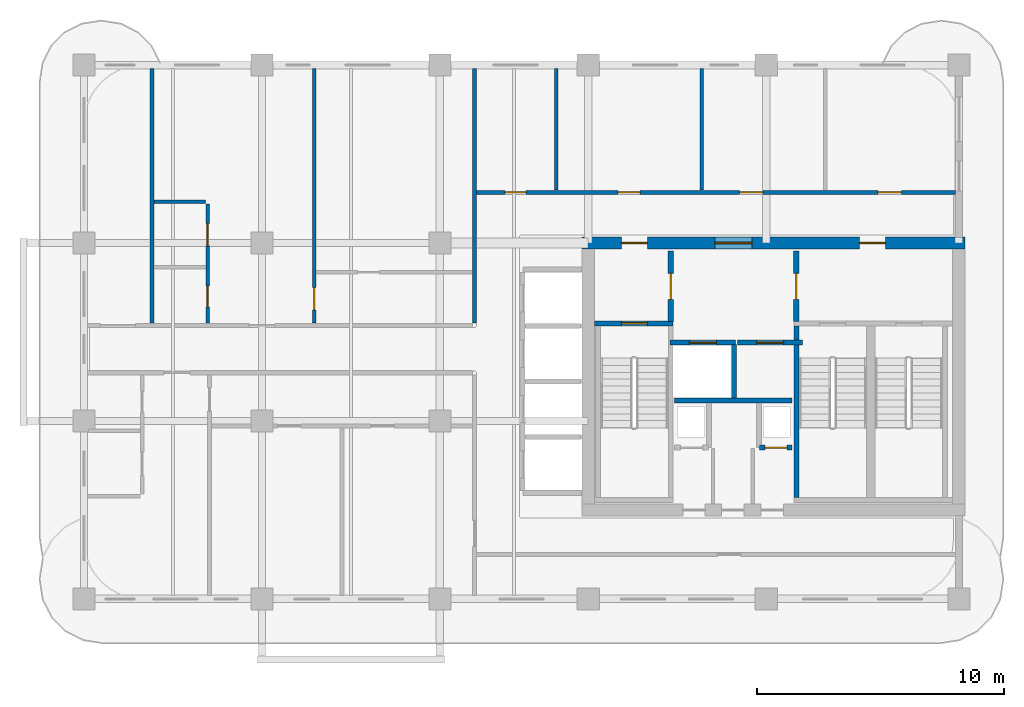
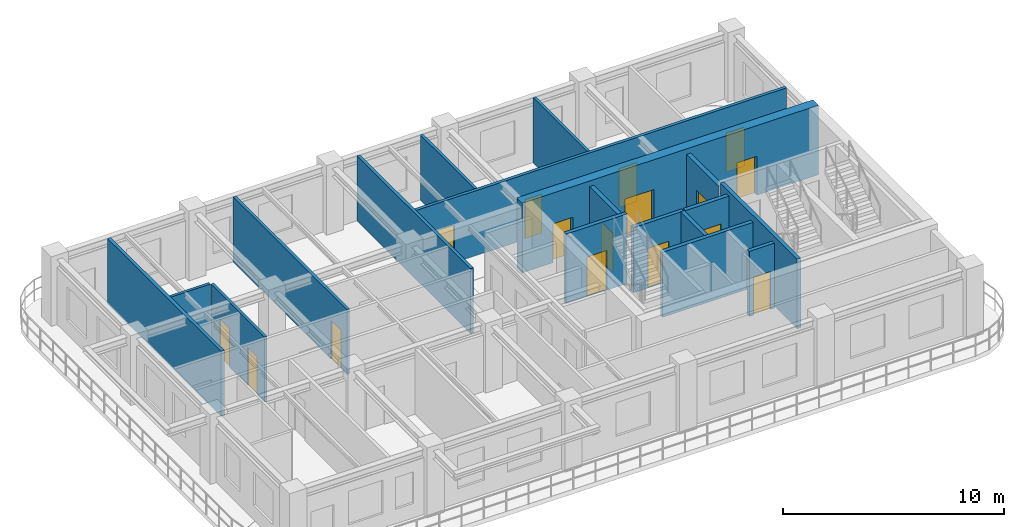
# One storey, part 4 of 7: 18 walls, 16 doors, 16 openings.
"""IFC4 building model written with IfcOpenShell, lengths in metres."""

from ifc_helpers import new_model, si_unit, derived_unit, direction, frame, frame_2d, origin, place, context, subcontext, project, spatial, rectangle, extrude, source, transform, mapped, material, layer, layer_set, type_object, type_shapes, element, fill, save


model = new_model("IFC4")

# Units and contexts
model_context = context("Model", 3, precision=1e-05, world=origin(), true_north=direction((0.0, 1.0)))
body_context = subcontext(model_context, "Body", "Model", "MODEL_VIEW")
ifc_project = project(units=[si_unit("LENGTHUNIT", "METRE"), si_unit("AREAUNIT", "SQUARE_METRE"), si_unit("VOLUMEUNIT", "CUBIC_METRE"), si_unit("PLANEANGLEUNIT", "RADIAN"), si_unit("MASSUNIT", "GRAM", prefix="KILO"), si_unit("THERMODYNAMICTEMPERATUREUNIT", "KELVIN"), si_unit("POWERUNIT", "WATT"), derived_unit("THERMALTRANSMITTANCEUNIT", [(si_unit("POWERUNIT", "WATT"), 1), (si_unit("AREAUNIT", "SQUARE_METRE"), -1), (si_unit("THERMODYNAMICTEMPERATUREUNIT", "KELVIN"), -1)])], contexts=[model_context])

# Site, building, storey
site_placement = place(None, origin())
site = spatial("IfcSite", under=ifc_project, at=site_placement, CompositionType="ELEMENT")
building_placement = place(site_placement, origin())
building = spatial("IfcBuilding", under=site, at=building_placement, Name="Zahravan Archway Hotel and Residences", CompositionType="ELEMENT")
storey_placement = place(building_placement, frame((0.0, 0.0, 221.14990234375)))
storey = spatial("IfcBuildingStorey", under=building, at=storey_placement, Name="L55", CompositionType="ELEMENT", Elevation=221.14990234375)

# Wall, openings, doors
ifc_material_1 = material(Name="Concrete C60/75", Category="concrete")
ifc_layer_1 = layer(ifc_material_1, 0.5, Name="Concrete C60/75", Category="concrete")
ifc_layer_set_1 = layer_set([ifc_layer_1], Name="Concrete C60/75")
wall_type_1 = type_object("IfcWallType", Name="CW-CORE-500", PredefinedType="SHEAR", material=ifc_layer_set_1)
wall_1_placement = place(storey_placement, frame((34.550048828125, 14.39990234375, 0.0), z_axis=(0.0, 0.0, 1.0), x_axis=(1.0, 0.0, 0.0)))
wall_1 = element("IfcWall", 1, at=wall_1_placement, inside=storey, type_object=wall_type_1, Name="L55 Core A Shear N Wall 500 mm", PredefinedType="SHEAR", context=body_context, shape_type="SweptSolid", body=[
    extrude(rectangle(XDim=15.5, YDim=0.5, at=frame_2d((7.75, 0.0))), origin(), (0.0, 0.0, 1.0), 3.85009765625),
])
opening_1_placement = place(wall_1_placement, frame((5.3798828125, 0.0, 0.0)))
opening_1 = element("IfcOpeningElement", 2, at=opening_1_placement, cuts=wall_1, Name="Opening FD-L1", PredefinedType="OPENING", context=body_context, shape_type="SweptSolid", body=[
    extrude(rectangle(XDim=1.5, YDim=2.199951171875, at=frame_2d((0.75, 1.10009765625))), frame((0.0, 0.260009765625, 0.0), z_axis=(0.0, -1.0, 0.0), x_axis=(1.0, 0.0, 0.0)), (0.0, 0.0, 1.0), 0.52001953125),
])
opening_2_placement = place(wall_1_placement, frame((1.594970703125, 0.0, 0.0)))
opening_2 = element("IfcOpeningElement", 3, at=opening_2_placement, cuts=wall_1, Name="Opening FD-L2", PredefinedType="OPENING", context=body_context, shape_type="SweptSolid", body=[
    extrude(rectangle(XDim=1.050048828125, YDim=2.14990234375, at=frame_2d((0.52490234375, 1.074951171875))), frame((0.0, 0.260009765625, 0.0), z_axis=(0.0, -1.0, 0.0), x_axis=(1.0, 0.0, 0.0)), (0.0, 0.0, 1.0), 0.52001953125),
])
opening_3_placement = place(wall_1_placement, frame((11.22509765625, 0.0, 0.0)))
opening_3 = element("IfcOpeningElement", 4, at=opening_3_placement, cuts=wall_1, Name="Opening FD-L2", PredefinedType="OPENING", context=body_context, shape_type="SweptSolid", body=[
    extrude(rectangle(XDim=1.050048828125, YDim=2.14990234375, at=frame_2d((0.52490234375, 1.074951171875))), frame((0.0, 0.260009765625, 0.0), z_axis=(0.0, -1.0, 0.0), x_axis=(1.0, 0.0, 0.0)), (0.0, 0.0, 1.0), 0.52001953125),
])
ifc_material_2 = material(Name="Fire-Rated Painted Steel", Category="steel")
door_type_1 = type_object("IfcDoorType", Name="FD-LOBBY-1100", OperationType="NOTDEFINED", PredefinedType="DOOR", material=ifc_material_2)
shared_shape_1 = source(origin(), body_context, "Body", "SweptSolid", [
    extrude(rectangle(XDim=1.050048828125, YDim=2.14990234375, at=frame_2d((0.52490234375, 1.074951171875))), frame((0.0, 0.02490234375, 0.0), z_axis=(0.0, -1.0, 0.0), x_axis=(1.0, 0.0, 0.0)), (0.0, 0.0, 1.0), 0.050048828125),
])
type_shapes(door_type_1, [shared_shape_1])
door_1_placement = place(opening_2_placement, origin())
door_1 = element("IfcDoor", 5, at=door_1_placement, inside=storey, type_object=door_type_1, Name="L55 Core A West Stair Lobby Door", OperationType="SINGLE_SWING_LEFT", OverallHeight=2.14990234375, OverallWidth=1.050048828125, PredefinedType="DOOR", context=body_context, shape_type="MappedRepresentation", body=[
    mapped(shared_shape_1, transform((0.0, 0.0, 0.0), scale=1.0)),
])
fill(opening_2, door_1)
door_2_placement = place(opening_3_placement, origin())
door_2 = element("IfcDoor", 6, at=door_2_placement, inside=storey, type_object=door_type_1, Name="L55 Core A East Stair Lobby Door", OperationType="SINGLE_SWING_RIGHT", OverallHeight=2.14990234375, OverallWidth=1.050048828125, PredefinedType="DOOR", context=body_context, shape_type="MappedRepresentation", body=[
    mapped(shared_shape_1, transform((0.0, 0.0, 0.0), scale=1.0)),
])
fill(opening_3, door_2)
door_type_2 = type_object("IfcDoorType", Name="FD-LOBBY-1500", OperationType="DOUBLE_DOOR_SINGLE_SWING", PredefinedType="DOOR", material=ifc_material_2)
shared_shape_2 = source(origin(), body_context, "Body", "SweptSolid", [
    extrude(rectangle(XDim=1.5, YDim=2.199951171875, at=frame_2d((0.75, 1.10009765625))), frame((0.0, 0.02490234375, 0.0), z_axis=(0.0, -1.0, 0.0), x_axis=(1.0, 0.0, 0.0)), (0.0, 0.0, 1.0), 0.050048828125),
])
type_shapes(door_type_2, [shared_shape_2])
door_3_placement = place(opening_1_placement, origin())
door_3 = element("IfcDoor", 7, at=door_3_placement, inside=storey, type_object=door_type_2, Name="L55 Core A FSAE Lobby Main Door", OperationType="DOUBLE_DOOR_SINGLE_SWING", OverallHeight=2.199951171875, OverallWidth=1.5, PredefinedType="DOOR", context=body_context, shape_type="MappedRepresentation", body=[
    mapped(shared_shape_2, transform((0.0, 0.0, 0.0), scale=1.0)),
])
fill(opening_1, door_3)

# Wall, opening, door
ifc_material_3 = material(Name="Fire-Rated Gypsum & Concrete Block", Category="concrete")
ifc_layer_2 = layer(ifc_material_3, 0.219970703125, Name="Fire-Rated Gypsum & Concrete Block", Category="concrete")
ifc_layer_set_2 = layer_set([ifc_layer_2], Name="Fire-Rated Gypsum & Concrete Block")
wall_type_2 = type_object("IfcWallType", Name="PW-COMP-220", PredefinedType="PARTITIONING", material=ifc_layer_set_2)
wall_2_placement = place(storey_placement, frame((38.139892578125, 11.219970703125, 0.0), z_axis=(0.0, 0.0, 1.0), x_axis=(0.0, 1.0, 0.0)))
wall_2 = element("IfcWall", 8, at=wall_2_placement, inside=storey, type_object=wall_type_2, Name="L55 Partition CA-LOBW", PredefinedType="PARTITIONING", context=body_context, shape_type="SweptSolid", body=[
    extrude(rectangle(XDim=2.860107421875, YDim=0.219970703125, at=frame_2d((1.43017578125, 0.0))), origin(), (0.0, 0.0, 1.0), 3.60009765625),
])
opening_4_placement = place(wall_2_placement, frame((0.905029296875, 0.0, 0.0)))
opening_4 = element("IfcOpeningElement", 9, at=opening_4_placement, cuts=wall_2, Name="Opening FD-L2", PredefinedType="OPENING", context=body_context, shape_type="SweptSolid", body=[
    extrude(rectangle(XDim=1.050048828125, YDim=2.14990234375, at=frame_2d((0.52490234375, 1.074951171875))), frame((0.0, 0.1201171875, 0.0), z_axis=(0.0, -1.0, 0.0), x_axis=(1.0, 0.0, 0.0)), (0.0, 0.0, 1.0), 0.239990234375),
])
door_4_placement = place(opening_4_placement, origin())
door_4 = element("IfcDoor", 10, at=door_4_placement, inside=storey, type_object=door_type_1, Name="L55 Core A West Stair to FSAE Lobby Door", OperationType="SINGLE_SWING_LEFT", OverallHeight=2.14990234375, OverallWidth=1.050048828125, PredefinedType="DOOR", context=body_context, shape_type="MappedRepresentation", body=[
    mapped(shared_shape_1, transform((0.0, 0.0, 0.0), scale=1.0)),
])
fill(opening_4, door_4)

wall_3_placement = place(storey_placement, frame((43.219970703125, 11.219970703125, 0.0), z_axis=(0.0, 0.0, 1.0), x_axis=(0.0, 1.0, 0.0)))
wall_3 = element("IfcWall", 11, at=wall_3_placement, inside=storey, type_object=wall_type_2, Name="L55 Partition CA-LOBE", PredefinedType="PARTITIONING", context=body_context, shape_type="SweptSolid", body=[
    extrude(rectangle(XDim=2.860107421875, YDim=0.219970703125, at=frame_2d((1.43017578125, 0.0))), origin(), (0.0, 0.0, 1.0), 3.60009765625),
])
opening_5_placement = place(wall_3_placement, frame((0.905029296875, 0.0, 0.0)))
opening_5 = element("IfcOpeningElement", 12, at=opening_5_placement, cuts=wall_3, Name="Opening FD-L2", PredefinedType="OPENING", context=body_context, shape_type="SweptSolid", body=[
    extrude(rectangle(XDim=1.050048828125, YDim=2.14990234375, at=frame_2d((0.52490234375, 1.074951171875))), frame((0.0, 0.1201171875, 0.0), z_axis=(0.0, -1.0, 0.0), x_axis=(1.0, 0.0, 0.0)), (0.0, 0.0, 1.0), 0.239990234375),
])
door_5_placement = place(opening_5_placement, origin())
door_5 = element("IfcDoor", 13, at=door_5_placement, inside=storey, type_object=door_type_1, Name="L55 Core A East Stair to FSAE Lobby Door", OperationType="SINGLE_SWING_RIGHT", OverallHeight=2.14990234375, OverallWidth=1.050048828125, PredefinedType="DOOR", context=body_context, shape_type="MappedRepresentation", body=[
    mapped(shared_shape_1, transform((0.0, 0.0, 0.0), scale=1.0)),
])
fill(opening_5, door_5)

# Wall
ifc_layer_3 = layer(ifc_material_3, 0.159912109375, Name="Fire-Rated Gypsum & Concrete Block", Category="concrete")
ifc_layer_set_3 = layer_set([ifc_layer_3], Name="Fire-Rated Gypsum & Concrete Block")
wall_type_3 = type_object("IfcWallType", Name="PW-CORR-160", PredefinedType="PARTITIONING", material=ifc_layer_set_3)
wall_4_placement = place(storey_placement, frame((30.199951171875, 11.159912109375, 0.0), z_axis=(0.0, 0.0, 1.0), x_axis=(0.0, 1.0, 0.0)))
element("IfcWall", 14, at=wall_4_placement, inside=storey, type_object=wall_type_3, Name="L55 Partition WA-FW", PredefinedType="PARTITIONING", context=body_context, shape_type="SweptSolid", body=[
    extrude(rectangle(XDim=10.300048828125, YDim=0.159912109375, at=frame_2d((5.14990234375, 0.0))), origin(), (0.0, 0.0, 1.0), 3.60009765625),
])

# Wall, openings, doors
wall_5_placement = place(storey_placement, frame((30.2900390625, 16.449951171875, 0.0), z_axis=(0.0, 0.0, 1.0), x_axis=(1.0, 0.0, 0.0)))
wall_5 = element("IfcWall", 15, at=wall_5_placement, inside=storey, type_object=wall_type_3, Name="L55 Partition WA-FN", PredefinedType="PARTITIONING", context=body_context, shape_type="SweptSolid", body=[
    extrude(rectangle(XDim=19.369873046875, YDim=0.159912109375, at=frame_2d((9.68505859375, 0.0))), origin(), (0.0, 0.0, 1.0), 3.60009765625),
])
opening_6_placement = place(wall_5_placement, frame((1.135009765625, 0.0, 0.0)))
opening_6 = element("IfcOpeningElement", 16, at=opening_6_placement, cuts=wall_5, Name="Opening D-B1", PredefinedType="OPENING", context=body_context, shape_type="SweptSolid", body=[
    extrude(rectangle(XDim=0.85009765625, YDim=2.10009765625, at=frame_2d((0.425048828125, 1.050048828125))), frame((0.0, 0.08984375, 0.0), z_axis=(0.0, -1.0, 0.0), x_axis=(1.0, 0.0, 0.0)), (0.0, 0.0, 1.0), 0.179931640625),
])
opening_7_placement = place(wall_5_placement, frame((5.7099609375, 0.0, 0.0)))
opening_7 = element("IfcOpeningElement", 17, at=opening_7_placement, cuts=wall_5, Name="Opening D-I2", PredefinedType="OPENING", context=body_context, shape_type="SweptSolid", body=[
    extrude(rectangle(XDim=0.89990234375, YDim=2.14990234375, at=frame_2d((0.449951171875, 1.074951171875))), frame((0.0, 0.08984375, 0.0), z_axis=(0.0, -1.0, 0.0), x_axis=(1.0, 0.0, 0.0)), (0.0, 0.0, 1.0), 0.179931640625),
])
opening_8_placement = place(wall_5_placement, frame((10.635009765625, 0.0, 0.0)))
opening_8 = element("IfcOpeningElement", 18, at=opening_8_placement, cuts=wall_5, Name="Opening D-I1", PredefinedType="OPENING", context=body_context, shape_type="SweptSolid", body=[
    extrude(rectangle(XDim=0.949951171875, YDim=2.14990234375, at=frame_2d((0.47509765625, 1.074951171875))), frame((0.0, 0.08984375, 0.0), z_axis=(0.0, -1.0, 0.0), x_axis=(1.0, 0.0, 0.0)), (0.0, 0.0, 1.0), 0.179931640625),
])
opening_9_placement = place(wall_5_placement, frame((16.235107421875, 0.0, 0.0)))
opening_9 = element("IfcOpeningElement", 19, at=opening_9_placement, cuts=wall_5, Name="Opening D-I1", PredefinedType="OPENING", context=body_context, shape_type="SweptSolid", body=[
    extrude(rectangle(XDim=0.949951171875, YDim=2.14990234375, at=frame_2d((0.47509765625, 1.074951171875))), frame((0.0, 0.08984375, 0.0), z_axis=(0.0, -1.0, 0.0), x_axis=(1.0, 0.0, 0.0)), (0.0, 0.0, 1.0), 0.179931640625),
])
ifc_material_4 = material(Name="Hardwood Veneer Timber", Category="wood")
door_type_3 = type_object("IfcDoorType", Name="ID-BATH-850", OperationType="NOTDEFINED", PredefinedType="DOOR", material=ifc_material_4)
shared_shape_3 = source(origin(), body_context, "Body", "SweptSolid", [
    extrude(rectangle(XDim=0.85009765625, YDim=2.10009765625, at=frame_2d((0.425048828125, 1.050048828125))), frame((0.0, 0.02490234375, 0.0), z_axis=(0.0, -1.0, 0.0), x_axis=(1.0, 0.0, 0.0)), (0.0, 0.0, 1.0), 0.050048828125),
])
type_shapes(door_type_3, [shared_shape_3])
door_6_placement = place(opening_6_placement, origin())
door_6 = element("IfcDoor", 20, at=door_6_placement, inside=storey, type_object=door_type_3, Name="L55 Accessible WC Door", OperationType="SINGLE_SWING_RIGHT", OverallHeight=2.10009765625, OverallWidth=0.85009765625, PredefinedType="DOOR", context=body_context, shape_type="MappedRepresentation", body=[
    mapped(shared_shape_3, transform((0.0, 0.0, 0.0), scale=1.0)),
])
fill(opening_6, door_6)
door_type_4 = type_object("IfcDoorType", Name="ID-INT-950", OperationType="NOTDEFINED", PredefinedType="DOOR", material=ifc_material_4)
shared_shape_4 = source(origin(), body_context, "Body", "SweptSolid", [
    extrude(rectangle(XDim=0.949951171875, YDim=2.14990234375, at=frame_2d((0.47509765625, 1.074951171875))), frame((0.0, 0.02490234375, 0.0), z_axis=(0.0, -1.0, 0.0), x_axis=(1.0, 0.0, 0.0)), (0.0, 0.0, 1.0), 0.050048828125),
])
type_shapes(door_type_4, [shared_shape_4])
door_7_placement = place(opening_8_placement, origin())
door_7 = element("IfcDoor", 21, at=door_7_placement, inside=storey, type_object=door_type_4, Name="L55 Boardroom Door", OperationType="SINGLE_SWING_RIGHT", OverallHeight=2.14990234375, OverallWidth=0.949951171875, PredefinedType="DOOR", context=body_context, shape_type="MappedRepresentation", body=[
    mapped(shared_shape_4, transform((0.0, 0.0, 0.0), scale=1.0)),
])
fill(opening_8, door_7)
door_8_placement = place(opening_9_placement, origin())
door_8 = element("IfcDoor", 22, at=door_8_placement, inside=storey, type_object=door_type_4, Name="L55 Therapy Clinic Door", OperationType="SINGLE_SWING_LEFT", OverallHeight=2.14990234375, OverallWidth=0.949951171875, PredefinedType="DOOR", context=body_context, shape_type="MappedRepresentation", body=[
    mapped(shared_shape_4, transform((0.0, 0.0, 0.0), scale=1.0)),
])
fill(opening_9, door_8)
door_type_5 = type_object("IfcDoorType", Name="ID-INT-900", OperationType="NOTDEFINED", PredefinedType="DOOR", material=ifc_material_4)
shared_shape_5 = source(origin(), body_context, "Body", "SweptSolid", [
    extrude(rectangle(XDim=0.89990234375, YDim=2.14990234375, at=frame_2d((0.449951171875, 1.074951171875))), frame((0.0, 0.02490234375, 0.0), z_axis=(0.0, -1.0, 0.0), x_axis=(1.0, 0.0, 0.0)), (0.0, 0.0, 1.0), 0.050048828125),
])
type_shapes(door_type_5, [shared_shape_5])
door_9_placement = place(opening_7_placement, origin())
door_9 = element("IfcDoor", 23, at=door_9_placement, inside=storey, type_object=door_type_5, Name="L55 Pantry Door", OperationType="SINGLE_SWING_LEFT", OverallHeight=2.14990234375, OverallWidth=0.89990234375, PredefinedType="DOOR", context=body_context, shape_type="MappedRepresentation", body=[
    mapped(shared_shape_5, transform((0.0, 0.0, 0.0), scale=1.0)),
])
fill(opening_7, door_9)

# Walls
ifc_layer_4 = layer(ifc_material_3, 0.199951171875, Name="Fire-Rated Gypsum & Concrete Block", Category="concrete")
ifc_layer_set_4 = layer_set([ifc_layer_4], Name="Fire-Rated Gypsum & Concrete Block")
wall_type_4 = type_object("IfcWallType", Name="PW-SHAFT-200", PredefinedType="PARTITIONING", material=ifc_layer_set_4)
wall_6_placement = place(storey_placement, frame((38.300048828125, 8.030029296875, 0.0), z_axis=(0.0, 0.0, 1.0), x_axis=(1.0, 0.0, 0.0)))
element("IfcWall", 24, at=wall_6_placement, inside=storey, type_object=wall_type_4, Name="L55 Partition CA-FLS", PredefinedType="PARTITIONING", context=body_context, shape_type="SweptSolid", body=[
    extrude(rectangle(XDim=4.739990234375, YDim=0.199951171875, at=frame_2d((2.3701171875, 0.0))), origin(), (0.0, 0.0, 1.0), 3.60009765625),
])
wall_7_placement = place(storey_placement, frame((40.699951171875, 8.1201171875, 0.0), z_axis=(0.0, 0.0, 1.0), x_axis=(0.0, 1.0, 0.0)))
element("IfcWall", 25, at=wall_7_placement, inside=storey, type_object=wall_type_4, Name="L55 Partition CA-FLM", PredefinedType="PARTITIONING", context=body_context, shape_type="SweptSolid", body=[
    extrude(rectangle(XDim=2.179931640625, YDim=0.199951171875, at=frame_2d((1.08984375, 0.0))), origin(), (0.0, 0.0, 1.0), 3.60009765625),
])

# Wall, opening, door
wall_8_placement = place(storey_placement, frame((41.72998046875, 6.1201171875, 0.0), z_axis=(0.0, 0.0, 1.0), x_axis=(1.0, 0.0, 0.0)))
wall_8 = element("IfcWall", 26, at=wall_8_placement, inside=storey, type_object=wall_type_4, Name="L55 Partition CA-MEPS", PredefinedType="PARTITIONING", context=body_context, shape_type="SweptSolid", body=[
    extrude(rectangle(XDim=1.320068359375, YDim=0.199951171875, at=frame_2d((0.66015625, 0.0))), origin(), (0.0, 0.0, 1.0), 3.60009765625),
])
opening_10_placement = place(wall_8_placement, frame((0.219970703125, 0.0, 0.0)))
opening_10 = element("IfcOpeningElement", 27, at=opening_10_placement, cuts=wall_8, Name="Opening FD-R1", PredefinedType="OPENING", context=body_context, shape_type="SweptSolid", body=[
    extrude(rectangle(XDim=0.89990234375, YDim=2.10009765625, at=frame_2d((0.449951171875, 1.050048828125))), frame((0.0, 0.10986328125, 0.0), z_axis=(0.0, -1.0, 0.0), x_axis=(1.0, 0.0, 0.0)), (0.0, 0.0, 1.0), 0.219970703125),
])
door_type_6 = type_object("IfcDoorType", Name="FD-RISER-900", OperationType="NOTDEFINED", PredefinedType="DOOR", material=ifc_material_2)
shared_shape_6 = source(origin(), body_context, "Body", "SweptSolid", [
    extrude(rectangle(XDim=0.89990234375, YDim=2.10009765625, at=frame_2d((0.449951171875, 1.050048828125))), frame((0.0, 0.02490234375, 0.0), z_axis=(0.0, -1.0, 0.0), x_axis=(1.0, 0.0, 0.0)), (0.0, 0.0, 1.0), 0.050048828125),
])
type_shapes(door_type_6, [shared_shape_6])
door_10_placement = place(opening_10_placement, origin())
door_10 = element("IfcDoor", 28, at=door_10_placement, inside=storey, type_object=door_type_6, Name="L55 MEP Riser Access Door", OperationType="SINGLE_SWING_RIGHT", OverallHeight=2.10009765625, OverallWidth=0.89990234375, PredefinedType="DOOR", context=body_context, shape_type="MappedRepresentation", body=[
    mapped(shared_shape_6, transform((0.0, 0.0, 0.0), scale=1.0)),
])
fill(opening_10, door_10)

wall_9_placement = place(storey_placement, frame((38.1201171875, 10.3701171875, 0.0), z_axis=(0.0, 0.0, 1.0), x_axis=(1.0, 0.0, 0.0)))
wall_9 = element("IfcWall", 29, at=wall_9_placement, inside=storey, type_object=wall_type_4, Name="L55 Lift FL-1 Front Wall", PredefinedType="PARTITIONING", context=body_context, shape_type="SweptSolid", body=[
    extrude(rectangle(XDim=2.639892578125, YDim=0.199951171875, at=frame_2d((1.31982421875, 0.0))), origin(), (0.0, 0.0, 1.0), 3.60009765625),
])
opening_11_placement = place(wall_9_placement, frame((0.77001953125, 0.0, 0.0)))
opening_11 = element("IfcOpeningElement", 30, at=opening_11_placement, cuts=wall_9, Name="Opening LD", PredefinedType="OPENING", context=body_context, shape_type="SweptSolid", body=[
    extrude(rectangle(XDim=1.10009765625, YDim=2.199951171875, at=frame_2d((0.550048828125, 1.10009765625))), frame((0.0, 0.10986328125, 0.0), z_axis=(0.0, -1.0, 0.0), x_axis=(1.0, 0.0, 0.0)), (0.0, 0.0, 1.0), 0.219970703125),
])
ifc_material_5 = material(Name="Brushed Stainless Steel", Category="steel")
door_type_7 = type_object("IfcDoorType", Name="DR-LIFT-LD", OperationType="SLIDING_TO_LEFT", PredefinedType="DOOR", material=ifc_material_5)
shared_shape_7 = source(origin(), body_context, "Body", "SweptSolid", [
    extrude(rectangle(XDim=1.10009765625, YDim=2.199951171875, at=frame_2d((0.550048828125, 1.10009765625))), frame((0.0, 0.02490234375, 0.0), z_axis=(0.0, -1.0, 0.0), x_axis=(1.0, 0.0, 0.0)), (0.0, 0.0, 1.0), 0.050048828125),
])
type_shapes(door_type_7, [shared_shape_7])
door_11_placement = place(opening_11_placement, origin())
door_11 = element("IfcDoor", 31, at=door_11_placement, inside=storey, type_object=door_type_7, Name="L55 Lift FL-1 Sliding Landing Door", OperationType="SLIDING_TO_LEFT", OverallHeight=2.199951171875, OverallWidth=1.10009765625, PredefinedType="DOOR", context=body_context, shape_type="MappedRepresentation", body=[
    mapped(shared_shape_7, transform((0.0, 0.0, 0.0), scale=1.0)),
])
fill(opening_11, door_11)

wall_10_placement = place(storey_placement, frame((40.840087890625, 10.3701171875, 0.0), z_axis=(0.0, 0.0, 1.0), x_axis=(1.0, 0.0, 0.0)))
wall_10 = element("IfcWall", 32, at=wall_10_placement, inside=storey, type_object=wall_type_4, Name="L55 Lift FL-2 Front Wall", PredefinedType="PARTITIONING", context=body_context, shape_type="SweptSolid", body=[
    extrude(rectangle(XDim=2.639892578125, YDim=0.199951171875, at=frame_2d((1.31982421875, 0.0))), origin(), (0.0, 0.0, 1.0), 3.60009765625),
])
opening_12_placement = place(wall_10_placement, frame((0.77001953125, 0.0, 0.0)))
opening_12 = element("IfcOpeningElement", 33, at=opening_12_placement, cuts=wall_10, Name="Opening LD", PredefinedType="OPENING", context=body_context, shape_type="SweptSolid", body=[
    extrude(rectangle(XDim=1.10009765625, YDim=2.199951171875, at=frame_2d((0.550048828125, 1.10009765625))), frame((0.0, 0.10986328125, 0.0), z_axis=(0.0, -1.0, 0.0), x_axis=(1.0, 0.0, 0.0)), (0.0, 0.0, 1.0), 0.219970703125),
])
door_12_placement = place(opening_12_placement, origin())
door_12 = element("IfcDoor", 34, at=door_12_placement, inside=storey, type_object=door_type_7, Name="L55 Lift FL-2 Sliding Landing Door", OperationType="SLIDING_TO_LEFT", OverallHeight=2.199951171875, OverallWidth=1.10009765625, PredefinedType="DOOR", context=body_context, shape_type="MappedRepresentation", body=[
    mapped(shared_shape_7, transform((0.0, 0.0, 0.0), scale=1.0)),
])
fill(opening_12, door_12)

ifc_material_6 = material(Name="Acoustic Stud Partition")
ifc_layer_5 = layer(ifc_material_6, 0.14990234375, Name="Acoustic Stud Partition")
ifc_layer_set_5 = layer_set([ifc_layer_5], Name="Acoustic Stud Partition")
wall_type_5 = type_object("IfcWallType", Name="PW-UNIT-150", PredefinedType="PARTITIONING", material=ifc_layer_set_5)
wall_11_placement = place(storey_placement, frame((23.719970703125, 11.159912109375, 0.0), z_axis=(0.0, 0.0, 1.0), x_axis=(0.0, 1.0, 0.0)))
wall_11 = element("IfcWall", 35, at=wall_11_placement, inside=storey, type_object=wall_type_5, Name="L55 Partition FL-N1-SP", PredefinedType="PARTITIONING", context=body_context, shape_type="SweptSolid", body=[
    extrude(rectangle(XDim=10.2919921875, YDim=0.14990234375, at=frame_2d((5.14599609375, 0.0))), origin(), (0.0, 0.0, 1.0), 3.60009765625),
])
opening_13_placement = place(wall_11_placement, frame((0.534912109375, 0.0, 0.0)))
opening_13 = element("IfcOpeningElement", 36, at=opening_13_placement, cuts=wall_11, Name="Opening D-I2", PredefinedType="OPENING", context=body_context, shape_type="SweptSolid", body=[
    extrude(rectangle(XDim=0.89990234375, YDim=2.14990234375, at=frame_2d((0.449951171875, 1.074951171875))), frame((0.0, 0.0849609375, 0.0), z_axis=(0.0, -1.0, 0.0), x_axis=(1.0, 0.0, 0.0)), (0.0, 0.0, 1.0), 0.169921875),
])
door_13_placement = place(opening_13_placement, origin())
door_13 = element("IfcDoor", 37, at=door_13_placement, inside=storey, type_object=door_type_5, Name="L55 Flat N1 Bedroom Hall Door", OperationType="SINGLE_SWING_LEFT", OverallHeight=2.14990234375, OverallWidth=0.89990234375, PredefinedType="DOOR", context=body_context, shape_type="MappedRepresentation", body=[
    mapped(shared_shape_5, transform((0.0, 0.0, 0.0), scale=1.0)),
])
fill(opening_13, door_13)

# Walls
ifc_layer_6 = layer(ifc_material_6, 0.169921875, Name="Acoustic Stud Partition")
ifc_layer_set_6 = layer_set([ifc_layer_6], Name="Acoustic Stud Partition")
wall_type_6 = type_object("IfcWallType", Name="PW-UNIT-170", PredefinedType="PARTITIONING", material=ifc_layer_set_6)
wall_12_placement = place(storey_placement, frame((17.14990234375, 11.159912109375, 0.0), z_axis=(0.0, 0.0, 1.0), x_axis=(0.0, 1.0, 0.0)))
element("IfcWall", 38, at=wall_12_placement, inside=storey, type_object=wall_type_6, Name="L55 Partition WAN-N1", PredefinedType="PARTITIONING", context=body_context, shape_type="SweptSolid", body=[
    extrude(rectangle(XDim=10.2919921875, YDim=0.169921875, at=frame_2d((5.14599609375, 0.0))), origin(), (0.0, 0.0, 1.0), 3.60009765625),
])
ifc_material_7 = material(Name="Moisture-Resistant Blockwork", Category="masonry")
ifc_layer_7 = layer(ifc_material_7, 0.139892578125, Name="Moisture-Resistant Blockwork", Category="masonry")
ifc_layer_set_7 = layer_set([ifc_layer_7], Name="Moisture-Resistant Blockwork")
wall_type_7 = type_object("IfcWallType", Name="PW-WET-140", PredefinedType="PARTITIONING", material=ifc_layer_set_7)
for number, where, z_axis, x_axis, name in (
    (39, (33.5, 16.5400390625, 0.0), (0.0, 0.0, 1.0), (0.0, 1.0, 0.0), "L55 Partition NE2-1"),
    (40, (39.39990234375, 16.5400390625, 0.0), (0.0, 0.0, 1.0), (0.0, 1.0, 0.0), "L55 Partition NE2-2"),
):
    element("IfcWall", number, at=place(storey_placement, frame(where, z_axis=z_axis, x_axis=x_axis)), inside=storey, type_object=wall_type_7, Name=name, PredefinedType="PARTITIONING", context=body_context, shape_type="SweptSolid", body=[
        extrude(rectangle(XDim=4.911865234375, YDim=0.139892578125, at=frame_2d((2.4560546875, 0.0))), origin(), (0.0, 0.0, 1.0), 3.60009765625),
    ])

# Wall, openings, doors
wall_13_placement = place(storey_placement, frame((19.39990234375, 11.159912109375, 0.0), z_axis=(0.0, 0.0, 1.0), x_axis=(0.0, 1.0, 0.0)))
wall_13 = element("IfcWall", 41, at=wall_13_placement, inside=storey, type_object=wall_type_7, Name="L55 Partition FL-N1-BV", PredefinedType="PARTITIONING", context=body_context, shape_type="SweptSolid", body=[
    extrude(rectangle(XDim=4.820068359375, YDim=0.139892578125, at=frame_2d((2.41015625, 0.0))), origin(), (0.0, 0.0, 1.0), 3.60009765625),
])
opening_14_placement = place(wall_13_placement, frame((0.659912109375, 0.0, 0.0)))
opening_14 = element("IfcOpeningElement", 42, at=opening_14_placement, cuts=wall_13, Name="Opening D-B1", PredefinedType="OPENING", context=body_context, shape_type="SweptSolid", body=[
    extrude(rectangle(XDim=0.85009765625, YDim=2.10009765625, at=frame_2d((0.425048828125, 1.050048828125))), frame((0.0, 0.080078125, 0.0), z_axis=(0.0, -1.0, 0.0), x_axis=(1.0, 0.0, 0.0)), (0.0, 0.0, 1.0), 0.159912109375),
])
opening_15_placement = place(wall_13_placement, frame((3.135009765625, 0.0, 0.0)))
opening_15 = element("IfcOpeningElement", 43, at=opening_15_placement, cuts=wall_13, Name="Opening D-I2", PredefinedType="OPENING", context=body_context, shape_type="SweptSolid", body=[
    extrude(rectangle(XDim=0.89990234375, YDim=2.14990234375, at=frame_2d((0.449951171875, 1.074951171875))), frame((0.0, 0.080078125, 0.0), z_axis=(0.0, -1.0, 0.0), x_axis=(1.0, 0.0, 0.0)), (0.0, 0.0, 1.0), 0.159912109375),
])
door_14_placement = place(opening_14_placement, origin())
door_14 = element("IfcDoor", 44, at=door_14_placement, inside=storey, type_object=door_type_3, Name="L55 Flat N1 Bathroom Door", OperationType="SINGLE_SWING_RIGHT", OverallHeight=2.10009765625, OverallWidth=0.85009765625, PredefinedType="DOOR", context=body_context, shape_type="MappedRepresentation", body=[
    mapped(shared_shape_3, transform((0.0, 0.0, 0.0), scale=1.0)),
])
fill(opening_14, door_14)
door_15_placement = place(opening_15_placement, origin())
door_15 = element("IfcDoor", 45, at=door_15_placement, inside=storey, type_object=door_type_5, Name="L55 Flat N1 Kitchen Door", OperationType="SINGLE_SWING_LEFT", OverallHeight=2.14990234375, OverallWidth=0.89990234375, PredefinedType="DOOR", context=body_context, shape_type="MappedRepresentation", body=[
    mapped(shared_shape_5, transform((0.0, 0.0, 0.0), scale=1.0)),
])
fill(opening_15, door_15)

# Wall
wall_14_placement = place(storey_placement, frame((17.239990234375, 16.070068359375, 0.0), z_axis=(0.0, 0.0, 1.0), x_axis=(1.0, 0.0, 0.0)))
element("IfcWall", 46, at=wall_14_placement, inside=storey, type_object=wall_type_7, Name="L55 Partition FL-N1-KH", PredefinedType="PARTITIONING", context=body_context, shape_type="SweptSolid", body=[
    extrude(rectangle(XDim=2.070068359375, YDim=0.139892578125, at=frame_2d((1.03515625, 0.0))), origin(), (0.0, 0.0, 1.0), 3.60009765625),
])

# Wall, opening, door
ifc_material_8 = material(Name="Concrete C50/60", Category="concrete")
ifc_layer_8 = layer(ifc_material_8, 0.199951171875, Name="Concrete C50/60", Category="concrete")
ifc_layer_set_8 = layer_set([ifc_layer_8], Name="Concrete C50/60")
wall_type_8 = type_object("IfcWallType", Name="SW-STAIR-200", PredefinedType="SHEAR", material=ifc_layer_set_8)
wall_15_placement = place(storey_placement, frame((35.050048828125, 11.14990234375, 0.0), z_axis=(0.0, 0.0, 1.0), x_axis=(1.0, 0.0, 0.0)))
wall_15 = element("IfcWall", 47, at=wall_15_placement, inside=storey, type_object=wall_type_8, Name="L55 Stairwell RC Wall CA-SA1N", PredefinedType="SHEAR", context=body_context, shape_type="SweptSolid", body=[
    extrude(rectangle(XDim=3.18994140625, YDim=0.199951171875, at=frame_2d((1.594970703125, 0.0))), origin(), (0.0, 0.0, 1.0), 3.85009765625),
])
opening_16_placement = place(wall_15_placement, frame((1.094970703125, 0.0, 0.0)))
opening_16 = element("IfcOpeningElement", 48, at=opening_16_placement, cuts=wall_15, Name="Opening FD-S1", PredefinedType="OPENING", context=body_context, shape_type="SweptSolid", body=[
    extrude(rectangle(XDim=1.050048828125, YDim=2.199951171875, at=frame_2d((0.52490234375, 1.10009765625))), frame((0.0, 0.10986328125, 0.0), z_axis=(0.0, -1.0, 0.0), x_axis=(1.0, 0.0, 0.0)), (0.0, 0.0, 1.0), 0.219970703125),
])
door_type_8 = type_object("IfcDoorType", Name="FD-STAIR-1100", OperationType="NOTDEFINED", PredefinedType="DOOR", material=ifc_material_2)
shared_shape_8 = source(origin(), body_context, "Body", "SweptSolid", [
    extrude(rectangle(XDim=1.050048828125, YDim=2.199951171875, at=frame_2d((0.52490234375, 1.10009765625))), frame((0.0, 0.02490234375, 0.0), z_axis=(0.0, -1.0, 0.0), x_axis=(1.0, 0.0, 0.0)), (0.0, 0.0, 1.0), 0.050048828125),
])
type_shapes(door_type_8, [shared_shape_8])
door_16_placement = place(opening_16_placement, origin())
door_16 = element("IfcDoor", 49, at=door_16_placement, inside=storey, type_object=door_type_8, Name="L55 Stair ST-A1 Door", OperationType="SINGLE_SWING_RIGHT", OverallHeight=2.199951171875, OverallWidth=1.050048828125, PredefinedType="DOOR", context=body_context, shape_type="MappedRepresentation", body=[
    mapped(shared_shape_8, transform((0.0, 0.0, 0.0), scale=1.0)),
])
fill(opening_16, door_16)

# Wall
wall_16_placement = place(storey_placement, frame((43.219970703125, 4.10009765625, 0.0), z_axis=(0.0, 0.0, 1.0), x_axis=(0.0, 1.0, 0.0)))
element("IfcWall", 50, at=wall_16_placement, inside=storey, type_object=wall_type_8, Name="L55 Stairwell RC Wall CA-SA2W", PredefinedType="SHEAR", context=body_context, shape_type="SweptSolid", body=[
    extrude(rectangle(XDim=6.949951171875, YDim=0.199951171875, at=frame_2d((3.47509765625, 0.0))), origin(), (0.0, 0.0, 1.0), 3.85009765625),
])

save(model, "model.ifc")
